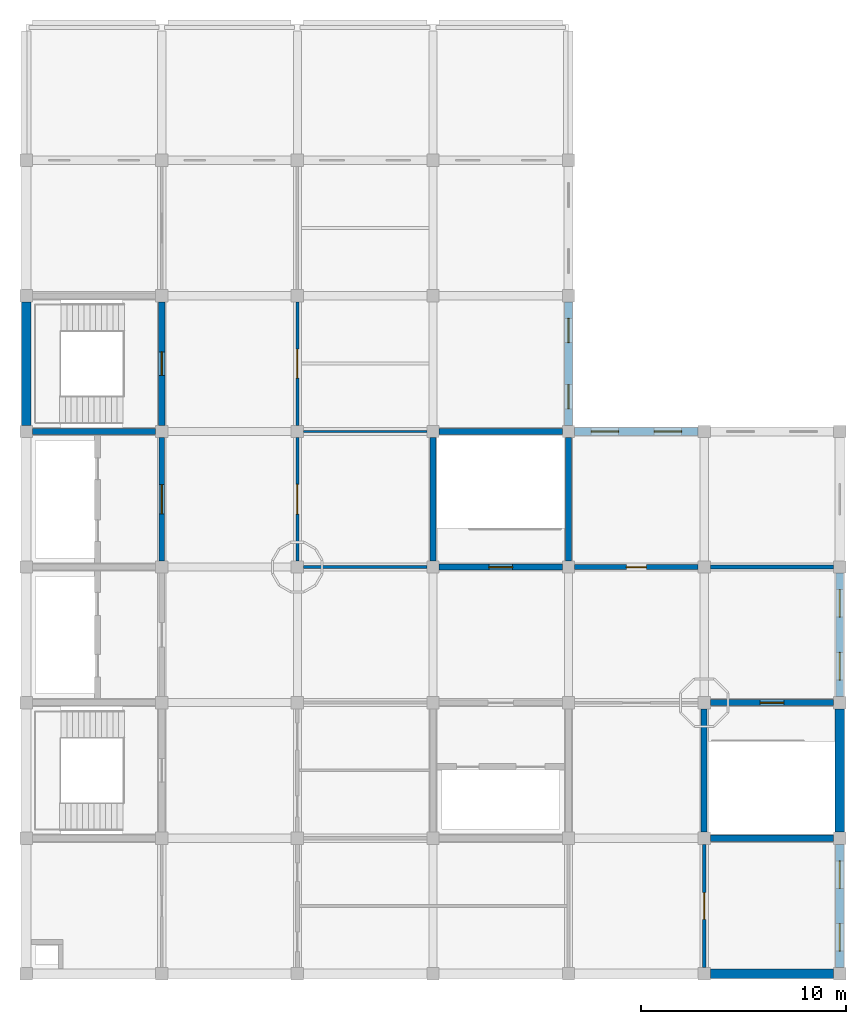
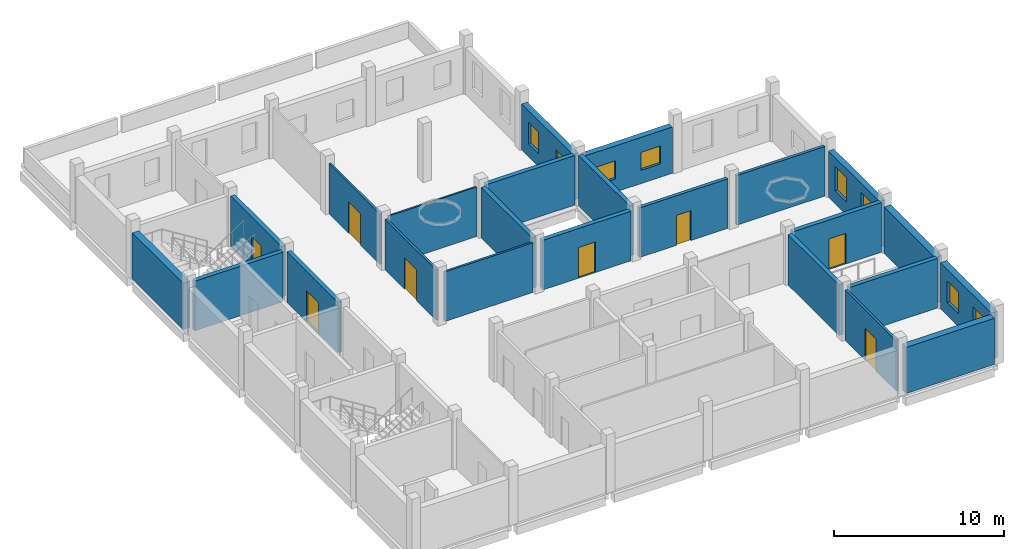
# One storey, part 3 of 6: 24 walls, 8 doors, 8 windows, 16 openings.
"""IFC4 building model written with IfcOpenShell, lengths in metres."""

from ifc_helpers import new_model, si_unit, direction, frame, frame_2d, origin, place, context, subcontext, project, spatial, rectangle, extrude, material, layer, layer_set, type_object, element, fill, save


model = new_model("IFC4")

# Units and contexts
model_context = context("Model", 3, precision=1e-05, world=origin(), true_north=direction((0.0, 1.0)))
body_context = subcontext(model_context, "Body", "Model", "MODEL_VIEW")
ifc_project = project(units=[si_unit("LENGTHUNIT", "METRE"), si_unit("AREAUNIT", "SQUARE_METRE"), si_unit("VOLUMEUNIT", "CUBIC_METRE"), si_unit("PLANEANGLEUNIT", "RADIAN"), si_unit("MASSUNIT", "GRAM", prefix="KILO")], contexts=[model_context])

# Site, building, storey
site_placement = place(None, origin())
site = spatial("IfcSite", under=ifc_project, at=site_placement, CompositionType="ELEMENT")
building_placement = place(site_placement, origin())
building = spatial("IfcBuilding", under=site, at=building_placement, Name="Rusizi Kubbe Research Institute", CompositionType="ELEMENT")
storey_placement = place(building_placement, frame((0.0, 0.0, 69.0)))
storey = spatial("IfcBuildingStorey", under=building, at=storey_placement, Name="L16", CompositionType="ELEMENT", Elevation=69.0)

# Wall
ifc_material_1 = material(Name="Concrete C40/50", Category="concrete")
ifc_layer_1 = layer(ifc_material_1, 0.294921875)
ifc_layer_set_1 = layer_set([ifc_layer_1], Name="Concrete C40/50")
wall_type_1 = type_object("IfcWallType", Name="CRW-03", PredefinedType="SHEAR", material=ifc_layer_set_1)
wall_1_placement = place(storey_placement, frame((0.300048828125, 26.39990234375, 0.0), z_axis=(0.0, 0.0, 1.0), x_axis=(1.0, 0.0, 0.0)))
element("IfcWall", 1, at=wall_1_placement, inside=storey, type_object=wall_type_1, Name="Stair Core Shear Wall ST2 L16 S", PredefinedType="SHEAR", context=body_context, shape_type="SweptSolid", body=[
    extrude(rectangle(XDim=6.0, YDim=0.294921875, at=frame_2d((3.0, 0.0))), origin(), (0.0, 0.0, 1.0), 3.56005859375),
])

# Wall, opening, door
wall_2_placement = place(storey_placement, frame((6.60009765625, 26.699951171875, 0.0), z_axis=(0.0, 0.0, 1.0), x_axis=(0.0, 1.0, 0.0)))
wall_2 = element("IfcWall", 2, at=wall_2_placement, inside=storey, type_object=wall_type_1, Name="Stair Core Shear Wall ST2 L16 E", PredefinedType="SHEAR", context=body_context, shape_type="SweptSolid", body=[
    extrude(rectangle(XDim=6.0, YDim=0.294921875, at=frame_2d((3.0, 0.0))), origin(), (0.0, 0.0, 1.0), 3.6201171875),
])
opening_1_placement = place(wall_2_placement, frame((2.425048828125, 0.0, 0.0)))
opening_1 = element("IfcOpeningElement", 3, at=opening_1_placement, cuts=wall_2, Name="Opening D-02", PredefinedType="OPENING", context=body_context, shape_type="SweptSolid", body=[
    extrude(rectangle(XDim=1.14990234375, YDim=2.199951171875, at=frame_2d((0.574951171875, 1.10009765625))), frame((0.0, 0.157470703125, 0.0), z_axis=(0.0, -1.0, 0.0), x_axis=(1.0, 0.0, 0.0)), (0.0, 0.0, 1.0), 0.31494140625),
])
ifc_material_2 = material(Name="Fire-Rated Steel Frame and Acoustic Timber Leaf", Category="wood")
door_type_1 = type_object("IfcDoorType", Name="ID-STAIR-115", OperationType="NOTDEFINED", PredefinedType="DOOR", material=ifc_material_2)
door_1_placement = place(opening_1_placement, origin())
door_1 = element("IfcDoor", 4, at=door_1_placement, inside=storey, type_object=door_type_1, Name="Exit Stair Door ST2 L16", OperationType="SINGLE_SWING_RIGHT", OverallHeight=2.199951171875, OverallWidth=1.14990234375, PredefinedType="DOOR", context=body_context, shape_type="SweptSolid", body=[
    extrude(rectangle(XDim=1.14990234375, YDim=2.199951171875, at=frame_2d((0.574951171875, 1.10009765625))), frame((0.0, 0.02490234375, 0.0), z_axis=(0.0, -1.0, 0.0), x_axis=(1.0, 0.0, 0.0)), (0.0, 0.0, 1.0), 0.050048828125),
])
fill(opening_1, door_1)

wall_3_placement = place(storey_placement, frame((20.10009765625, 19.800048828125, 0.0), z_axis=(0.0, 0.0, 1.0), x_axis=(1.0, 0.0, 0.0)))
wall_3 = element("IfcWall", 5, at=wall_3_placement, inside=storey, type_object=wall_type_1, Name="Stair Core Shear Wall ST3 L16 S", PredefinedType="SHEAR", context=body_context, shape_type="SweptSolid", body=[
    extrude(rectangle(XDim=6.0, YDim=0.294921875, at=frame_2d((3.0, 0.0))), origin(), (0.0, 0.0, 1.0), 3.56005859375),
])
opening_2_placement = place(wall_3_placement, frame((2.425048828125, 0.0, 0.0)))
opening_2 = element("IfcOpeningElement", 6, at=opening_2_placement, cuts=wall_3, Name="Opening D-02", PredefinedType="OPENING", context=body_context, shape_type="SweptSolid", body=[
    extrude(rectangle(XDim=1.14990234375, YDim=2.199951171875, at=frame_2d((0.574951171875, 1.10009765625))), frame((0.0, 0.157470703125, 0.0), z_axis=(0.0, -1.0, 0.0), x_axis=(1.0, 0.0, 0.0)), (0.0, 0.0, 1.0), 0.31494140625),
])
door_2_placement = place(opening_2_placement, origin())
door_2 = element("IfcDoor", 7, at=door_2_placement, inside=storey, type_object=door_type_1, Name="Exit Stair Door ST3 L16", OperationType="SINGLE_SWING_RIGHT", OverallHeight=2.199951171875, OverallWidth=1.14990234375, PredefinedType="DOOR", context=body_context, shape_type="SweptSolid", body=[
    extrude(rectangle(XDim=1.14990234375, YDim=2.199951171875, at=frame_2d((0.574951171875, 1.10009765625))), frame((0.0, 0.02490234375, 0.0), z_axis=(0.0, -1.0, 0.0), x_axis=(1.0, 0.0, 0.0)), (0.0, 0.0, 1.0), 0.050048828125),
])
fill(opening_2, door_2)

# Walls
wall_4_placement = place(storey_placement, frame((20.10009765625, 26.39990234375, 0.0), z_axis=(0.0, 0.0, 1.0), x_axis=(1.0, 0.0, 0.0)))
element("IfcWall", 8, at=wall_4_placement, inside=storey, type_object=wall_type_1, Name="Stair Core Shear Wall ST3 L16 N", PredefinedType="SHEAR", context=body_context, shape_type="SweptSolid", body=[
    extrude(rectangle(XDim=6.0, YDim=0.294921875, at=frame_2d((3.0, 0.0))), origin(), (0.0, 0.0, 1.0), 3.56005859375),
])
for number, where, z_axis, x_axis, name in (
    (9, (19.800048828125, 20.10009765625, 0.0), (0.0, 0.0, 1.0), (0.0, 1.0, 0.0), "Stair Core Shear Wall ST3 L16 W"),
    (10, (26.39990234375, 20.10009765625, 0.0), (0.0, 0.0, 1.0), (0.0, 1.0, 0.0), "Stair Core Shear Wall ST3 L16 E"),
):
    element("IfcWall", number, at=place(storey_placement, frame(where, z_axis=z_axis, x_axis=x_axis)), inside=storey, type_object=wall_type_1, Name=name, PredefinedType="SHEAR", context=body_context, shape_type="SweptSolid", body=[
        extrude(rectangle(XDim=6.0, YDim=0.294921875, at=frame_2d((3.0, 0.0))), origin(), (0.0, 0.0, 1.0), 3.6201171875),
    ])
wall_5_placement = place(storey_placement, frame((33.300048828125, 6.60009765625, 0.0), z_axis=(0.0, 0.0, 1.0), x_axis=(1.0, 0.0, 0.0)))
element("IfcWall", 11, at=wall_5_placement, inside=storey, type_object=wall_type_1, Name="Stair Core Shear Wall ST4 L16 S", PredefinedType="SHEAR", context=body_context, shape_type="SweptSolid", body=[
    extrude(rectangle(XDim=6.0, YDim=0.294921875, at=frame_2d((3.0, 0.0))), origin(), (0.0, 0.0, 1.0), 3.56005859375),
])

# Wall, opening, door
wall_6_placement = place(storey_placement, frame((33.300048828125, 13.199951171875, 0.0), z_axis=(0.0, 0.0, 1.0), x_axis=(1.0, 0.0, 0.0)))
wall_6 = element("IfcWall", 12, at=wall_6_placement, inside=storey, type_object=wall_type_1, Name="Stair Core Shear Wall ST4 L16 N", PredefinedType="SHEAR", context=body_context, shape_type="SweptSolid", body=[
    extrude(rectangle(XDim=6.0, YDim=0.294921875, at=frame_2d((3.0, 0.0))), origin(), (0.0, 0.0, 1.0), 3.56005859375),
])
opening_3_placement = place(wall_6_placement, frame((2.425048828125, 0.0, 0.0)))
opening_3 = element("IfcOpeningElement", 13, at=opening_3_placement, cuts=wall_6, Name="Opening D-02", PredefinedType="OPENING", context=body_context, shape_type="SweptSolid", body=[
    extrude(rectangle(XDim=1.14990234375, YDim=2.199951171875, at=frame_2d((0.574951171875, 1.10009765625))), frame((0.0, 0.157470703125, 0.0), z_axis=(0.0, -1.0, 0.0), x_axis=(1.0, 0.0, 0.0)), (0.0, 0.0, 1.0), 0.31494140625),
])
door_3_placement = place(opening_3_placement, origin())
door_3 = element("IfcDoor", 14, at=door_3_placement, inside=storey, type_object=door_type_1, Name="Exit Stair Door ST4 L16", OperationType="SINGLE_SWING_RIGHT", OverallHeight=2.199951171875, OverallWidth=1.14990234375, PredefinedType="DOOR", context=body_context, shape_type="SweptSolid", body=[
    extrude(rectangle(XDim=1.14990234375, YDim=2.199951171875, at=frame_2d((0.574951171875, 1.10009765625))), frame((0.0, 0.02490234375, 0.0), z_axis=(0.0, -1.0, 0.0), x_axis=(1.0, 0.0, 0.0)), (0.0, 0.0, 1.0), 0.050048828125),
])
fill(opening_3, door_3)

# Wall
wall_7_placement = place(storey_placement, frame((33.0, 6.89990234375, 0.0), z_axis=(0.0, 0.0, 1.0), x_axis=(0.0, 1.0, 0.0)))
element("IfcWall", 15, at=wall_7_placement, inside=storey, type_object=wall_type_1, Name="Stair Core Shear Wall ST4 L16 W", PredefinedType="SHEAR", context=body_context, shape_type="SweptSolid", body=[
    extrude(rectangle(XDim=6.0, YDim=0.294921875, at=frame_2d((3.0, 0.0))), origin(), (0.0, 0.0, 1.0), 3.6201171875),
])

# Wall, openings, windows
ifc_material_3 = material(Name="Volcanic Basalt Ashlar Masonry", Category="masonry")
ifc_layer_2 = layer(ifc_material_3, 0.419921875)
ifc_layer_set_2 = layer_set([ifc_layer_2], Name="Volcanic Basalt Ashlar Masonry")
wall_type_2 = type_object("IfcWallType", Name="EW-02", PredefinedType="SOLIDWALL", material=ifc_layer_set_2)
wall_8_placement = place(storey_placement, frame((39.60009765625, 0.300048828125, 0.0), z_axis=(0.0, 0.0, 1.0), x_axis=(0.0, 1.0, 0.0)))
wall_8 = element("IfcWall", 16, at=wall_8_placement, inside=storey, type_object=wall_type_2, Name="Ablaq Stone Exterior Wall L16 V6-0", PredefinedType="SOLIDWALL", context=body_context, shape_type="SweptSolid", body=[
    extrude(rectangle(XDim=6.0, YDim=0.419921875, at=frame_2d((3.0, 0.0))), origin(), (0.0, 0.0, 1.0), 3.320068359375),
])
opening_4_placement = place(wall_8_placement, frame((0.800048828125, 0.0, 0.949951171875)))
opening_4 = element("IfcOpeningElement", 17, at=opening_4_placement, cuts=wall_8, Name="Opening WN-14", PredefinedType="OPENING", context=body_context, shape_type="SweptSolid", body=[
    extrude(rectangle(XDim=1.340087890625, YDim=1.52001953125, at=frame_2d((0.669921875, 0.760009765625))), frame((0.0, 0.219970703125, 0.0), z_axis=(0.0, -1.0, 0.0), x_axis=(1.0, 0.0, 0.0)), (0.0, 0.0, 1.0), 0.43994140625),
])
opening_5_placement = place(wall_8_placement, frame((3.860107421875, 0.0, 0.949951171875)))
opening_5 = element("IfcOpeningElement", 18, at=opening_5_placement, cuts=wall_8, Name="Opening WN-14", PredefinedType="OPENING", context=body_context, shape_type="SweptSolid", body=[
    extrude(rectangle(XDim=1.340087890625, YDim=1.52001953125, at=frame_2d((0.669921875, 0.760009765625))), frame((0.0, 0.219970703125, 0.0), z_axis=(0.0, -1.0, 0.0), x_axis=(1.0, 0.0, 0.0)), (0.0, 0.0, 1.0), 0.43994140625),
])
ifc_material_4 = material(Name="Aluminium Frame and Solar-Control Double Glazing", Category="glass")
window_type_1 = type_object("IfcWindowType", Name="WN-14", PartitioningType="SINGLE_PANEL", PredefinedType="WINDOW", material=ifc_material_4)
window_1_placement = place(opening_4_placement, origin())
window_1 = element("IfcWindow", 19, at=window_1_placement, inside=storey, type_object=window_type_1, Name="Casement Window WN-14 L16", OverallHeight=1.52001953125, OverallWidth=1.340087890625, PartitioningType="SINGLE_PANEL", PredefinedType="WINDOW", context=body_context, shape_type="SweptSolid", body=[
    extrude(rectangle(XDim=1.340087890625, YDim=1.52001953125, at=frame_2d((0.669921875, 0.760009765625))), frame((0.0, 0.030029296875, 0.0), z_axis=(0.0, -1.0, 0.0), x_axis=(1.0, 0.0, 0.0)), (0.0, 0.0, 1.0), 0.06005859375),
])
fill(opening_4, window_1)
window_2_placement = place(opening_5_placement, origin())
window_2 = element("IfcWindow", 20, at=window_2_placement, inside=storey, type_object=window_type_1, Name="Casement Window WN-14 L16", OverallHeight=1.52001953125, OverallWidth=1.340087890625, PartitioningType="SINGLE_PANEL", PredefinedType="WINDOW", context=body_context, shape_type="SweptSolid", body=[
    extrude(rectangle(XDim=1.340087890625, YDim=1.52001953125, at=frame_2d((0.669921875, 0.760009765625))), frame((0.0, 0.030029296875, 0.0), z_axis=(0.0, -1.0, 0.0), x_axis=(1.0, 0.0, 0.0)), (0.0, 0.0, 1.0), 0.06005859375),
])
fill(opening_5, window_2)

ifc_material_5 = material(Name="Volcanic Basalt Ashlar Masonry", Category="masonry")
ifc_layer_3 = layer(ifc_material_5, 0.385009765625)
ifc_layer_set_3 = layer_set([ifc_layer_3], Name="Volcanic Basalt Ashlar Masonry")
wall_type_3 = type_object("IfcWallType", Name="EW-04", PredefinedType="SOLIDWALL", material=ifc_layer_set_3)
wall_9_placement = place(storey_placement, frame((26.39990234375, 26.699951171875, 0.0), z_axis=(0.0, 0.0, 1.0), x_axis=(0.0, 1.0, 0.0)))
wall_9 = element("IfcWall", 21, at=wall_9_placement, inside=storey, type_object=wall_type_3, Name="Ablaq Stone Exterior Wall L16 V4-4", PredefinedType="SOLIDWALL", context=body_context, shape_type="SweptSolid", body=[
    extrude(rectangle(XDim=6.0, YDim=0.385009765625, at=frame_2d((3.0, 0.0))), origin(), (0.0, 0.0, 1.0), 3.320068359375),
])
opening_6_placement = place(wall_9_placement, frame((0.800048828125, 0.0, 0.949951171875)))
opening_6 = element("IfcOpeningElement", 22, at=opening_6_placement, cuts=wall_9, Name="Opening WN-10", PredefinedType="OPENING", context=body_context, shape_type="SweptSolid", body=[
    extrude(rectangle(XDim=1.179931640625, YDim=1.52001953125, at=frame_2d((0.58984375, 0.760009765625))), frame((0.0, 0.202392578125, 0.0), z_axis=(0.0, -1.0, 0.0), x_axis=(1.0, 0.0, 0.0)), (0.0, 0.0, 1.0), 0.405029296875),
])
opening_7_placement = place(wall_9_placement, frame((4.02001953125, 0.0, 0.949951171875)))
opening_7 = element("IfcOpeningElement", 23, at=opening_7_placement, cuts=wall_9, Name="Opening WN-10", PredefinedType="OPENING", context=body_context, shape_type="SweptSolid", body=[
    extrude(rectangle(XDim=1.179931640625, YDim=1.52001953125, at=frame_2d((0.58984375, 0.760009765625))), frame((0.0, 0.202392578125, 0.0), z_axis=(0.0, -1.0, 0.0), x_axis=(1.0, 0.0, 0.0)), (0.0, 0.0, 1.0), 0.405029296875),
])
ifc_material_6 = material(Name="Aluminium Frame and Solar-Control Double Glazing", Category="glass")
window_type_2 = type_object("IfcWindowType", Name="WN-10", PartitioningType="SINGLE_PANEL", PredefinedType="WINDOW", material=ifc_material_6)
window_3_placement = place(opening_6_placement, origin())
window_3 = element("IfcWindow", 24, at=window_3_placement, inside=storey, type_object=window_type_2, Name="Casement Window WN-10 L16", OverallHeight=1.52001953125, OverallWidth=1.179931640625, PartitioningType="SINGLE_PANEL", PredefinedType="WINDOW", context=body_context, shape_type="SweptSolid", body=[
    extrude(rectangle(XDim=1.179931640625, YDim=1.52001953125, at=frame_2d((0.58984375, 0.760009765625))), frame((0.0, 0.030029296875, 0.0), z_axis=(0.0, -1.0, 0.0), x_axis=(1.0, 0.0, 0.0)), (0.0, 0.0, 1.0), 0.06005859375),
])
fill(opening_6, window_3)
window_4_placement = place(opening_7_placement, origin())
window_4 = element("IfcWindow", 25, at=window_4_placement, inside=storey, type_object=window_type_2, Name="Casement Window WN-10 L16", OverallHeight=1.52001953125, OverallWidth=1.179931640625, PartitioningType="SINGLE_PANEL", PredefinedType="WINDOW", context=body_context, shape_type="SweptSolid", body=[
    extrude(rectangle(XDim=1.179931640625, YDim=1.52001953125, at=frame_2d((0.58984375, 0.760009765625))), frame((0.0, 0.030029296875, 0.0), z_axis=(0.0, -1.0, 0.0), x_axis=(1.0, 0.0, 0.0)), (0.0, 0.0, 1.0), 0.06005859375),
])
fill(opening_7, window_4)

wall_10_placement = place(storey_placement, frame((26.699951171875, 26.39990234375, 0.0), z_axis=(0.0, 0.0, 1.0), x_axis=(1.0, 0.0, 0.0)))
wall_10 = element("IfcWall", 26, at=wall_10_placement, inside=storey, type_object=wall_type_3, Name="Ablaq Stone Exterior Wall L16 H4-4", PredefinedType="SOLIDWALL", context=body_context, shape_type="SweptSolid", body=[
    extrude(rectangle(XDim=6.0, YDim=0.385009765625, at=frame_2d((3.0, 0.0))), origin(), (0.0, 0.0, 1.0), 3.320068359375),
])
opening_8_placement = place(wall_10_placement, frame((0.800048828125, 0.0, 0.949951171875)))
opening_8 = element("IfcOpeningElement", 27, at=opening_8_placement, cuts=wall_10, Name="Opening WN-13", PredefinedType="OPENING", context=body_context, shape_type="SweptSolid", body=[
    extrude(rectangle(XDim=1.340087890625, YDim=1.300048828125, at=frame_2d((0.669921875, 0.64990234375))), frame((0.0, 0.202392578125, 0.0), z_axis=(0.0, -1.0, 0.0), x_axis=(1.0, 0.0, 0.0)), (0.0, 0.0, 1.0), 0.405029296875),
])
opening_9_placement = place(wall_10_placement, frame((3.860107421875, 0.0, 0.949951171875)))
opening_9 = element("IfcOpeningElement", 28, at=opening_9_placement, cuts=wall_10, Name="Opening WN-13", PredefinedType="OPENING", context=body_context, shape_type="SweptSolid", body=[
    extrude(rectangle(XDim=1.340087890625, YDim=1.300048828125, at=frame_2d((0.669921875, 0.64990234375))), frame((0.0, 0.202392578125, 0.0), z_axis=(0.0, -1.0, 0.0), x_axis=(1.0, 0.0, 0.0)), (0.0, 0.0, 1.0), 0.405029296875),
])
ifc_material_7 = material(Name="Aluminium Frame and Solar-Control Double Glazing", Category="glass")
window_type_3 = type_object("IfcWindowType", Name="WN-13", PartitioningType="SINGLE_PANEL", PredefinedType="WINDOW", material=ifc_material_7)
window_5_placement = place(opening_8_placement, origin())
window_5 = element("IfcWindow", 29, at=window_5_placement, inside=storey, type_object=window_type_3, Name="Casement Window WN-13 L16", OverallHeight=1.300048828125, OverallWidth=1.340087890625, PartitioningType="SINGLE_PANEL", PredefinedType="WINDOW", context=body_context, shape_type="SweptSolid", body=[
    extrude(rectangle(XDim=1.340087890625, YDim=1.300048828125, at=frame_2d((0.669921875, 0.64990234375))), frame((0.0, 0.030029296875, 0.0), z_axis=(0.0, -1.0, 0.0), x_axis=(1.0, 0.0, 0.0)), (0.0, 0.0, 1.0), 0.06005859375),
])
fill(opening_8, window_5)
window_6_placement = place(opening_9_placement, origin())
window_6 = element("IfcWindow", 30, at=window_6_placement, inside=storey, type_object=window_type_3, Name="Casement Window WN-13 L16", OverallHeight=1.300048828125, OverallWidth=1.340087890625, PartitioningType="SINGLE_PANEL", PredefinedType="WINDOW", context=body_context, shape_type="SweptSolid", body=[
    extrude(rectangle(XDim=1.340087890625, YDim=1.300048828125, at=frame_2d((0.669921875, 0.64990234375))), frame((0.0, 0.030029296875, 0.0), z_axis=(0.0, -1.0, 0.0), x_axis=(1.0, 0.0, 0.0)), (0.0, 0.0, 1.0), 0.06005859375),
])
fill(opening_9, window_6)

wall_11_placement = place(storey_placement, frame((39.60009765625, 13.5, 0.0), z_axis=(0.0, 0.0, 1.0), x_axis=(0.0, 1.0, 0.0)))
wall_11 = element("IfcWall", 31, at=wall_11_placement, inside=storey, type_object=wall_type_3, Name="Ablaq Stone Exterior Wall L16 V6-2", PredefinedType="SOLIDWALL", context=body_context, shape_type="SweptSolid", body=[
    extrude(rectangle(XDim=6.0, YDim=0.385009765625, at=frame_2d((3.0, 0.0))), origin(), (0.0, 0.0, 1.0), 3.320068359375),
])
opening_10_placement = place(wall_11_placement, frame((0.800048828125, 0.0, 0.949951171875)))
opening_10 = element("IfcOpeningElement", 32, at=opening_10_placement, cuts=wall_11, Name="Opening WN-15", PredefinedType="OPENING", context=body_context, shape_type="SweptSolid", body=[
    extrude(rectangle(XDim=1.340087890625, YDim=1.739990234375, at=frame_2d((0.669921875, 0.8701171875))), frame((0.0, 0.202392578125, 0.0), z_axis=(0.0, -1.0, 0.0), x_axis=(1.0, 0.0, 0.0)), (0.0, 0.0, 1.0), 0.405029296875),
])
opening_11_placement = place(wall_11_placement, frame((3.860107421875, 0.0, 0.949951171875)))
opening_11 = element("IfcOpeningElement", 33, at=opening_11_placement, cuts=wall_11, Name="Opening WN-15", PredefinedType="OPENING", context=body_context, shape_type="SweptSolid", body=[
    extrude(rectangle(XDim=1.340087890625, YDim=1.739990234375, at=frame_2d((0.669921875, 0.8701171875))), frame((0.0, 0.202392578125, 0.0), z_axis=(0.0, -1.0, 0.0), x_axis=(1.0, 0.0, 0.0)), (0.0, 0.0, 1.0), 0.405029296875),
])
ifc_material_8 = material(Name="Aluminium Frame and Solar-Control Double Glazing", Category="glass")
window_type_4 = type_object("IfcWindowType", Name="WN-15", PartitioningType="SINGLE_PANEL", PredefinedType="WINDOW", material=ifc_material_8)
window_7_placement = place(opening_10_placement, origin())
window_7 = element("IfcWindow", 34, at=window_7_placement, inside=storey, type_object=window_type_4, Name="Casement Window WN-15 L16", OverallHeight=1.739990234375, OverallWidth=1.340087890625, PartitioningType="SINGLE_PANEL", PredefinedType="WINDOW", context=body_context, shape_type="SweptSolid", body=[
    extrude(rectangle(XDim=1.340087890625, YDim=1.739990234375, at=frame_2d((0.669921875, 0.8701171875))), frame((0.0, 0.030029296875, 0.0), z_axis=(0.0, -1.0, 0.0), x_axis=(1.0, 0.0, 0.0)), (0.0, 0.0, 1.0), 0.06005859375),
])
fill(opening_10, window_7)
window_8_placement = place(opening_11_placement, origin())
window_8 = element("IfcWindow", 35, at=window_8_placement, inside=storey, type_object=window_type_4, Name="Casement Window WN-15 L16", OverallHeight=1.739990234375, OverallWidth=1.340087890625, PartitioningType="SINGLE_PANEL", PredefinedType="WINDOW", context=body_context, shape_type="SweptSolid", body=[
    extrude(rectangle(XDim=1.340087890625, YDim=1.739990234375, at=frame_2d((0.669921875, 0.8701171875))), frame((0.0, 0.030029296875, 0.0), z_axis=(0.0, -1.0, 0.0), x_axis=(1.0, 0.0, 0.0)), (0.0, 0.0, 1.0), 0.06005859375),
])
fill(opening_11, window_8)

# Wall, opening, door
ifc_material_9 = material(Name="Concrete Blockwork Fire Partition", Category="masonry")
ifc_layer_4 = layer(ifc_material_9, 0.22509765625)
ifc_layer_set_4 = layer_set([ifc_layer_4], Name="Concrete Blockwork Fire Partition")
wall_type_4 = type_object("IfcWallType", Name="IW-01", PredefinedType="PARTITIONING", material=ifc_layer_set_4)
wall_12_placement = place(storey_placement, frame((26.699951171875, 19.800048828125, 0.0), z_axis=(0.0, 0.0, 1.0), x_axis=(1.0, 0.0, 0.0)))
wall_12 = element("IfcWall", 36, at=wall_12_placement, inside=storey, type_object=wall_type_4, Name="Interior Partition Wall L16 H4-3", PredefinedType="PARTITIONING", context=body_context, shape_type="SweptSolid", body=[
    extrude(rectangle(XDim=6.0, YDim=0.22509765625, at=frame_2d((3.0, 0.0))), origin(), (0.0, 0.0, 1.0), 3.56005859375),
])
opening_12_placement = place(wall_12_placement, frame((2.510009765625, 0.0, 0.0)))
opening_12 = element("IfcOpeningElement", 37, at=opening_12_placement, cuts=wall_12, Name="Opening D-20", PredefinedType="OPENING", context=body_context, shape_type="SweptSolid", body=[
    extrude(rectangle(XDim=0.97998046875, YDim=2.14990234375, at=frame_2d((0.489990234375, 1.074951171875))), frame((0.0, 0.12255859375, 0.0), z_axis=(0.0, -1.0, 0.0), x_axis=(1.0, 0.0, 0.0)), (0.0, 0.0, 1.0), 0.2451171875),
])
ifc_material_10 = material(Name="Fire-Rated Steel Frame and Acoustic Timber Leaf", Category="wood")
door_type_2 = type_object("IfcDoorType", Name="ID-OFF-980", OperationType="NOTDEFINED", PredefinedType="DOOR", material=ifc_material_10)
door_4_placement = place(opening_12_placement, origin())
door_4 = element("IfcDoor", 38, at=door_4_placement, inside=storey, type_object=door_type_2, Name="Door to Write-up Office (L16-EWN-01)", OperationType="SINGLE_SWING_LEFT", OverallHeight=2.14990234375, OverallWidth=0.97998046875, PredefinedType="DOOR", context=body_context, shape_type="SweptSolid", body=[
    extrude(rectangle(XDim=0.97998046875, YDim=2.14990234375, at=frame_2d((0.489990234375, 1.074951171875))), frame((0.0, 0.02490234375, 0.0), z_axis=(0.0, -1.0, 0.0), x_axis=(1.0, 0.0, 0.0)), (0.0, 0.0, 1.0), 0.050048828125),
])
fill(opening_12, door_4)

# Wall
ifc_material_11 = material(Name="Insulated Cleanroom Partition", Category="masonry")
ifc_layer_5 = layer(ifc_material_11, 0.195068359375)
ifc_layer_set_5 = layer_set([ifc_layer_5], Name="Insulated Cleanroom Partition")
wall_type_5 = type_object("IfcWallType", Name="IW-02", PredefinedType="PARTITIONING", material=ifc_layer_set_5)
wall_13_placement = place(storey_placement, frame((33.300048828125, 19.800048828125, 0.0), z_axis=(0.0, 0.0, 1.0), x_axis=(1.0, 0.0, 0.0)))
element("IfcWall", 39, at=wall_13_placement, inside=storey, type_object=wall_type_5, Name="Interior Partition Wall L16 H5-3", PredefinedType="PARTITIONING", context=body_context, shape_type="SweptSolid", body=[
    extrude(rectangle(XDim=6.0, YDim=0.195068359375, at=frame_2d((3.0, 0.0))), origin(), (0.0, 0.0, 1.0), 3.56005859375),
])

# Wall, opening, door
ifc_material_12 = material(Name="Fire-Rated Corridor Partition", Category="masonry")
ifc_layer_6 = layer(ifc_material_12, 0.155029296875)
ifc_layer_set_6 = layer_set([ifc_layer_6], Name="Fire-Rated Corridor Partition")
wall_type_6 = type_object("IfcWallType", Name="IW-04", PredefinedType="PARTITIONING", material=ifc_layer_set_6)
wall_14_placement = place(storey_placement, frame((13.199951171875, 20.10009765625, 0.0), z_axis=(0.0, 0.0, 1.0), x_axis=(0.0, 1.0, 0.0)))
wall_14 = element("IfcWall", 40, at=wall_14_placement, inside=storey, type_object=wall_type_6, Name="Interior Partition Wall L16 V2-3", PredefinedType="PARTITIONING", context=body_context, shape_type="SweptSolid", body=[
    extrude(rectangle(XDim=6.0, YDim=0.155029296875, at=frame_2d((3.0, 0.0))), origin(), (0.0, 0.0, 1.0), 3.6201171875),
])
opening_13_placement = place(wall_14_placement, frame((2.27490234375, 0.0, 0.0)))
opening_13 = element("IfcOpeningElement", 41, at=opening_13_placement, cuts=wall_14, Name="Opening D-11", PredefinedType="OPENING", context=body_context, shape_type="SweptSolid", body=[
    extrude(rectangle(XDim=1.449951171875, YDim=2.25, at=frame_2d((0.72509765625, 1.125))), frame((0.0, 0.08740234375, 0.0), z_axis=(0.0, -1.0, 0.0), x_axis=(1.0, 0.0, 0.0)), (0.0, 0.0, 1.0), 0.175048828125),
])
ifc_material_13 = material(Name="Fire-Rated Steel Frame and Acoustic Timber Leaf", Category="wood")
door_type_3 = type_object("IfcDoorType", Name="ID-LAB-145", OperationType="NOTDEFINED", PredefinedType="DOOR", material=ifc_material_13)
door_5_placement = place(opening_13_placement, origin())
door_5 = element("IfcDoor", 42, at=door_5_placement, inside=storey, type_object=door_type_3, Name="Door to Atmospheric and Solar Research Laboratory (L16-NW-01)", OperationType="SINGLE_SWING_LEFT", OverallHeight=2.25, OverallWidth=1.449951171875, PredefinedType="DOOR", context=body_context, shape_type="SweptSolid", body=[
    extrude(rectangle(XDim=1.449951171875, YDim=2.25, at=frame_2d((0.72509765625, 1.125))), frame((0.0, 0.02490234375, 0.0), z_axis=(0.0, -1.0, 0.0), x_axis=(1.0, 0.0, 0.0)), (0.0, 0.0, 1.0), 0.050048828125),
])
fill(opening_13, door_5)

wall_15_placement = place(storey_placement, frame((33.0, 0.300048828125, 0.0), z_axis=(0.0, 0.0, 1.0), x_axis=(0.0, 1.0, 0.0)))
wall_15 = element("IfcWall", 43, at=wall_15_placement, inside=storey, type_object=wall_type_6, Name="Interior Partition Wall L16 V5-0", PredefinedType="PARTITIONING", context=body_context, shape_type="SweptSolid", body=[
    extrude(rectangle(XDim=6.0, YDim=0.155029296875, at=frame_2d((3.0, 0.0))), origin(), (0.0, 0.0, 1.0), 3.6201171875),
])
opening_14_placement = place(wall_15_placement, frame((2.35009765625, 0.0, 0.0)))
opening_14 = element("IfcOpeningElement", 44, at=opening_14_placement, cuts=wall_15, Name="Opening D-14", PredefinedType="OPENING", context=body_context, shape_type="SweptSolid", body=[
    extrude(rectangle(XDim=1.300048828125, YDim=2.300048828125, at=frame_2d((0.64990234375, 1.14990234375))), frame((0.0, 0.08740234375, 0.0), z_axis=(0.0, -1.0, 0.0), x_axis=(1.0, 0.0, 0.0)), (0.0, 0.0, 1.0), 0.175048828125),
])
ifc_material_14 = material(Name="Fire-Rated Steel Frame and Acoustic Timber Leaf", Category="wood")
door_type_4 = type_object("IfcDoorType", Name="ID-LAB-130", OperationType="NOTDEFINED", PredefinedType="DOOR", material=ifc_material_14)
door_6_placement = place(opening_14_placement, origin())
door_6 = element("IfcDoor", 45, at=door_6_placement, inside=storey, type_object=door_type_4, Name="Door to Laboratory Instrument Support Room (L16-EWU-05)", OperationType="SINGLE_SWING_RIGHT", OverallHeight=2.300048828125, OverallWidth=1.300048828125, PredefinedType="DOOR", context=body_context, shape_type="SweptSolid", body=[
    extrude(rectangle(XDim=1.300048828125, YDim=2.300048828125, at=frame_2d((0.64990234375, 1.14990234375))), frame((0.0, 0.02490234375, 0.0), z_axis=(0.0, -1.0, 0.0), x_axis=(1.0, 0.0, 0.0)), (0.0, 0.0, 1.0), 0.050048828125),
])
fill(opening_14, door_6)

ifc_material_15 = material(Name="Write-up Glazed Acoustic Partition", Category="masonry")
ifc_layer_7 = layer(ifc_material_15, 0.139892578125)
ifc_layer_set_7 = layer_set([ifc_layer_7], Name="Write-up Glazed Acoustic Partition")
wall_type_7 = type_object("IfcWallType", Name="IW-05", PredefinedType="PARTITIONING", material=ifc_layer_set_7)
wall_16_placement = place(storey_placement, frame((13.199951171875, 26.699951171875, 0.0), z_axis=(0.0, 0.0, 1.0), x_axis=(0.0, 1.0, 0.0)))
wall_16 = element("IfcWall", 46, at=wall_16_placement, inside=storey, type_object=wall_type_7, Name="Interior Partition Wall L16 V2-4", PredefinedType="PARTITIONING", context=body_context, shape_type="SweptSolid", body=[
    extrude(rectangle(XDim=6.0, YDim=0.139892578125, at=frame_2d((3.0, 0.0))), origin(), (0.0, 0.0, 1.0), 3.6201171875),
])
opening_15_placement = place(wall_16_placement, frame((2.300048828125, 0.0, 0.0)))
opening_15 = element("IfcOpeningElement", 47, at=opening_15_placement, cuts=wall_16, Name="Opening D-12", PredefinedType="OPENING", context=body_context, shape_type="SweptSolid", body=[
    extrude(rectangle(XDim=1.39990234375, YDim=2.25, at=frame_2d((0.699951171875, 1.125))), frame((0.0, 0.079833984375, 0.0), z_axis=(0.0, -1.0, 0.0), x_axis=(1.0, 0.0, 0.0)), (0.0, 0.0, 1.0), 0.159912109375),
])
ifc_material_16 = material(Name="Fire-Rated Steel Frame and Acoustic Timber Leaf", Category="wood")
door_type_5 = type_object("IfcDoorType", Name="ID-LAB-140", OperationType="NOTDEFINED", PredefinedType="DOOR", material=ifc_material_16)
door_7_placement = place(opening_15_placement, origin())
door_7 = element("IfcDoor", 48, at=door_7_placement, inside=storey, type_object=door_type_5, Name="Door to Bioscience Wet Laboratory (L16-NW-02)", OperationType="SINGLE_SWING_RIGHT", OverallHeight=2.25, OverallWidth=1.39990234375, PredefinedType="DOOR", context=body_context, shape_type="SweptSolid", body=[
    extrude(rectangle(XDim=1.39990234375, YDim=2.25, at=frame_2d((0.699951171875, 1.125))), frame((0.0, 0.02490234375, 0.0), z_axis=(0.0, -1.0, 0.0), x_axis=(1.0, 0.0, 0.0)), (0.0, 0.0, 1.0), 0.050048828125),
])
fill(opening_15, door_7)

# Walls
wall_17_placement = place(storey_placement, frame((13.5, 19.800048828125, 0.0), z_axis=(0.0, 0.0, 1.0), x_axis=(1.0, 0.0, 0.0)))
element("IfcWall", 49, at=wall_17_placement, inside=storey, type_object=wall_type_7, Name="Interior Partition Wall L16 H2-3", PredefinedType="PARTITIONING", context=body_context, shape_type="SweptSolid", body=[
    extrude(rectangle(XDim=6.0, YDim=0.139892578125, at=frame_2d((3.0, 0.0))), origin(), (0.0, 0.0, 1.0), 3.56005859375),
])
ifc_material_17 = material(Name="Sub-Suite Fire Partition", Category="masonry")
ifc_layer_8 = layer(ifc_material_17, 0.110107421875)
ifc_layer_set_8 = layer_set([ifc_layer_8], Name="Sub-Suite Fire Partition")
wall_type_8 = type_object("IfcWallType", Name="IW-07", PredefinedType="PARTITIONING", material=ifc_layer_set_8)
wall_18_placement = place(storey_placement, frame((13.5, 26.39990234375, 0.0), z_axis=(0.0, 0.0, 1.0), x_axis=(1.0, 0.0, 0.0)))
element("IfcWall", 50, at=wall_18_placement, inside=storey, type_object=wall_type_8, Name="Interior Partition Wall L16 H2-4", PredefinedType="PARTITIONING", context=body_context, shape_type="SweptSolid", body=[
    extrude(rectangle(XDim=6.0, YDim=0.110107421875, at=frame_2d((3.0, 0.0))), origin(), (0.0, 0.0, 1.0), 3.56005859375),
])
ifc_material_18 = material(Name="Concrete C40/50", Category="concrete")
ifc_layer_9 = layer(ifc_material_18, 0.4599609375)
ifc_layer_set_9 = layer_set([ifc_layer_9], Name="Concrete C40/50")
wall_type_9 = type_object("IfcWallType", Name="PW-02", PredefinedType="SOLIDWALL", material=ifc_layer_set_9)
for number, where, z_axis, x_axis, name in (
    (51, (0.0, 26.699951171875, 0.0), (0.0, 0.0, 1.0), (0.0, 1.0, 0.0), "Blind Party Wall L16 V0-4"),
    (52, (33.300048828125, 0.0, 0.0), (0.0, 0.0, 1.0), (1.0, 0.0, 0.0), "Blind Party Wall L16 H5-0"),
    (53, (39.60009765625, 6.89990234375, 0.0), (0.0, 0.0, 1.0), (0.0, 1.0, 0.0), "Core Shear Exterior Wall L16 V6-1"),
):
    element("IfcWall", number, at=place(storey_placement, frame(where, z_axis=z_axis, x_axis=x_axis)), inside=storey, type_object=wall_type_9, Name=name, PredefinedType="SOLIDWALL", context=body_context, shape_type="SweptSolid", body=[
        extrude(rectangle(XDim=6.0, YDim=0.4599609375, at=frame_2d((3.0, 0.0))), origin(), (0.0, 0.0, 1.0), 3.320068359375),
    ])

# Wall, opening, door
ifc_material_19 = material(Name="Concrete C40/50", Category="concrete")
ifc_layer_10 = layer(ifc_material_19, 0.27490234375)
ifc_layer_set_10 = layer_set([ifc_layer_10], Name="Concrete C40/50")
wall_type_10 = type_object("IfcWallType", Name="SHW-01", PredefinedType="SHEAR", material=ifc_layer_set_10)
wall_19_placement = place(storey_placement, frame((6.60009765625, 20.10009765625, 0.0), z_axis=(0.0, 0.0, 1.0), x_axis=(0.0, 1.0, 0.0)))
wall_19 = element("IfcWall", 54, at=wall_19_placement, inside=storey, type_object=wall_type_10, Name="Passenger Lift Lobby Wall L16", PredefinedType="SHEAR", context=body_context, shape_type="SweptSolid", body=[
    extrude(rectangle(XDim=6.0, YDim=0.27490234375, at=frame_2d((3.0, 0.0))), origin(), (0.0, 0.0, 1.0), 3.6201171875),
])
opening_16_placement = place(wall_19_placement, frame((2.2900390625, 0.0, 0.0)))
opening_16 = element("IfcOpeningElement", 55, at=opening_16_placement, cuts=wall_19, Name="Opening D-22", PredefinedType="OPENING", context=body_context, shape_type="SweptSolid", body=[
    extrude(rectangle(XDim=1.419921875, YDim=2.199951171875, at=frame_2d((0.7099609375, 1.10009765625))), frame((0.0, 0.1474609375, 0.0), z_axis=(0.0, -1.0, 0.0), x_axis=(1.0, 0.0, 0.0)), (0.0, 0.0, 1.0), 0.294921875),
])
ifc_material_20 = material(Name="Fire-Rated Steel Frame and Acoustic Timber Leaf", Category="wood")
door_type_6 = type_object("IfcDoorType", Name="ID-STR-142", OperationType="DOUBLE_DOOR_SINGLE_SWING", PredefinedType="DOOR", material=ifc_material_20)
door_8_placement = place(opening_16_placement, origin())
door_8 = element("IfcDoor", 56, at=door_8_placement, inside=storey, type_object=door_type_6, Name="Door to Passenger Lift Lobby (L16-LBY-01)", OperationType="DOUBLE_DOOR_SINGLE_SWING", OverallHeight=2.199951171875, OverallWidth=1.419921875, PredefinedType="DOOR", context=body_context, shape_type="SweptSolid", body=[
    extrude(rectangle(XDim=1.419921875, YDim=2.199951171875, at=frame_2d((0.7099609375, 1.10009765625))), frame((0.0, 0.02490234375, 0.0), z_axis=(0.0, -1.0, 0.0), x_axis=(1.0, 0.0, 0.0)), (0.0, 0.0, 1.0), 0.050048828125),
])
fill(opening_16, door_8)

save(model, "model.ifc")
